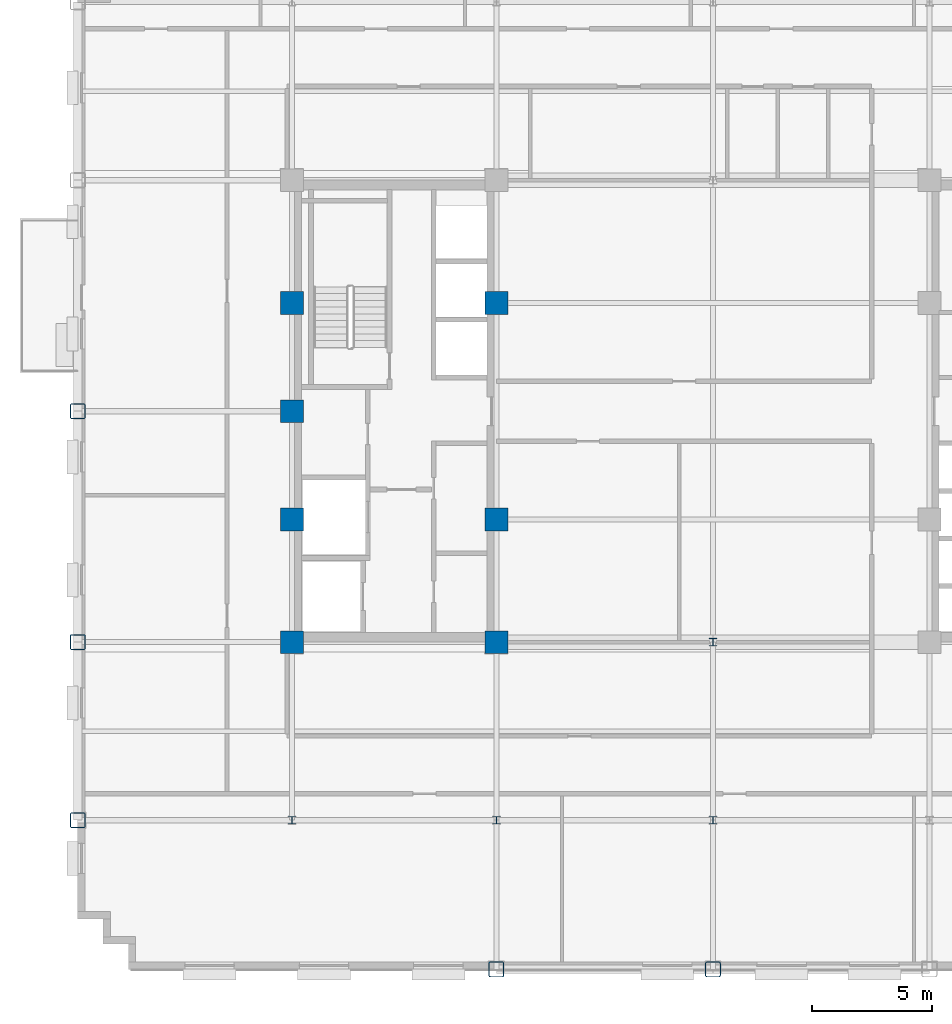
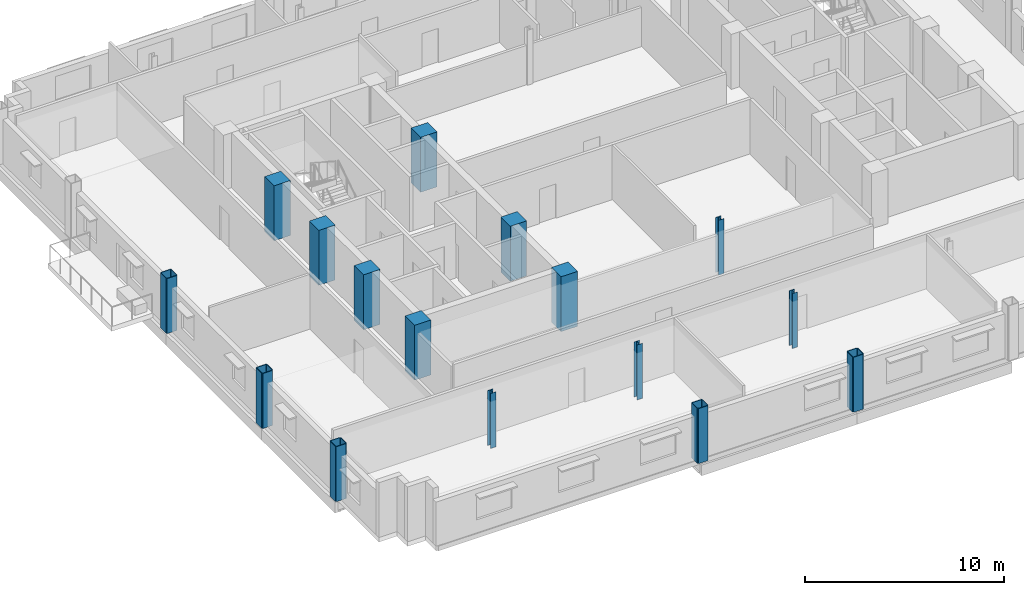
# One storey, part 1 of 14: 16 columns.
"""IFC4 building model written with IfcOpenShell, lengths in metres."""

import ifcopenshell
import ifcopenshell.guid

model = None  # the IFC model being written
_history = None  # IfcOwnerHistory: only IFC2X3 demands one
_inside = {}  # id of a spatial element -> (the spatial element, [elements in it])
_under = {}  # id of a project, library or spatial element -> (it, [spatial elements below it])
_declared = {}  # id of a project -> (the project, [libraries it declares])
_typed = {}  # id of a type object -> (the type object, [elements of that type])
_made_of = {}  # id of a material, layer set ... -> (it, [elements and type objects made of it])


def new_model(schema):
    """Start an empty IFC model of exactly this schema.

    Asked for "IFC4X3", IfcOpenShell would pick the latest addendum, in which some entities
    have other attributes; the version numbers below select the first issue.
    IFC2X3 requires an IfcOwnerHistory on every rooted entity: one is made here for all.
    """
    global model, _history
    if schema == "IFC4X3":
        model = ifcopenshell.file(schema_version=(4, 3, 0, 0))
    else:
        model = ifcopenshell.file(schema=schema)
    _inside.clear()
    _under.clear()
    _declared.clear()
    _typed.clear()
    _made_of.clear()
    _history = None
    if model.schema == "IFC2X3":
        org = make("IfcOrganization", Name="unknown")
        user = make(
            "IfcPersonAndOrganization",
            ThePerson=make("IfcPerson", FamilyName="unknown"),
            TheOrganization=org,
        )
        app = make(
            "IfcApplication",
            ApplicationDeveloper=org,
            Version="unknown",
            ApplicationFullName="unknown",
            ApplicationIdentifier="unknown",
        )
        _history = make(
            "IfcOwnerHistory",
            OwningUser=user,
            OwningApplication=app,
            ChangeAction="ADDED",
            CreationDate=0,
        )
    return model


def make(cls, **values):
    """One entity of the class cls with the attributes given. An attribute that is None is left unset."""
    return model.create_entity(
        cls, **{name: value for name, value in values.items() if value is not None}
    )


def rooted(cls, **values):
    """An entity with a GlobalId (a new one), such as an element, a storey or a relation."""
    return make(cls, GlobalId=ifcopenshell.guid.new(), OwnerHistory=_history, **values)


def si_unit(unit_type, name, prefix=None):
    """IfcSIUnit, for example si_unit("LENGTHUNIT", "METRE", prefix="MILLI")."""
    return make("IfcSIUnit", UnitType=unit_type, Prefix=prefix, Name=name)


def assignment(units):
    """IfcUnitAssignment: the units of a project."""
    return None if units is None else make("IfcUnitAssignment", Units=units)


def point(xyz):
    """IfcCartesianPoint."""
    return None if xyz is None else make("IfcCartesianPoint", Coordinates=xyz)


def direction(xyz):
    """IfcDirection."""
    return None if xyz is None else make("IfcDirection", DirectionRatios=xyz)


def frame(location, z_axis=None, x_axis=None):
    """IfcAxis2Placement3D, a coordinate frame: its origin and axes. An axis left out is left unset."""
    return make(
        "IfcAxis2Placement3D",
        Location=point(location),
        Axis=direction(z_axis),
        RefDirection=direction(x_axis),
    )


def frame_2d(location, x_axis=None):
    """IfcAxis2Placement2D, a coordinate frame in the plane: its origin and x axis."""
    return make(
        "IfcAxis2Placement2D", Location=point(location), RefDirection=direction(x_axis)
    )


def origin():
    """The frame at (0, 0, 0) with its axes left unset."""
    return frame((0.0, 0.0, 0.0))


def origin_2d():
    """The frame at (0, 0) in the plane with its x axis left unset."""
    return frame_2d((0.0, 0.0))


def place(relative_to, where):
    """IfcLocalPlacement: puts the frame where relative to a parent placement (None: the world)."""
    return make(
        "IfcLocalPlacement", PlacementRelTo=relative_to, RelativePlacement=where
    )


def context(
    kind, dimensions, precision=None, world=None, true_north=None, identifier=None
):
    """IfcGeometricRepresentationContext, for example the 3D "Model" context."""
    return make(
        "IfcGeometricRepresentationContext",
        ContextIdentifier=identifier,
        ContextType=kind,
        CoordinateSpaceDimension=dimensions,
        Precision=precision,
        WorldCoordinateSystem=world,
        TrueNorth=true_north,
    )


def subcontext(parent, identifier, kind, view, scale=None):
    """IfcGeometricRepresentationSubContext, for example "Body" below "Model"."""
    return make(
        "IfcGeometricRepresentationSubContext",
        ContextIdentifier=identifier,
        ContextType=kind,
        ParentContext=parent,
        TargetScale=scale,
        TargetView=view,
    )


def project(units=None, contexts=None):
    """IfcProject with its units and contexts."""
    return rooted(
        "IfcProject",
        Name="project",
        RepresentationContexts=contexts,
        UnitsInContext=assignment(units),
    )


def spatial(cls, under=None, at=None, **own):
    """A site, building, storey or space (cls), placed at a placement, below another one or the project."""
    s = rooted(cls, ObjectPlacement=at, **own)
    if under is not None:
        _under.setdefault(under.id(), (under, []))[1].append(s)
    return s


def profile(cls, at=None, kind="AREA", **sizes):
    """A parametric profile (cls). Its sizes go by their IFC names, for example OverallWidth=200.0."""
    return make(cls, ProfileType=kind, Position=at, **sizes)


def rectangle(**sizes):
    """IfcRectangleProfileDef."""
    return profile("IfcRectangleProfileDef", **sizes)


def hollow_rectangle(**sizes):
    """IfcRectangleHollowProfileDef."""
    return profile("IfcRectangleHollowProfileDef", **sizes)


def i_section(**sizes):
    """IfcIShapeProfileDef."""
    return profile("IfcIShapeProfileDef", **sizes)


def extrude(swept, where, along, depth):
    """IfcExtrudedAreaSolid: the profile swept, set in the frame where, extruded along a direction by depth."""
    return make(
        "IfcExtrudedAreaSolid",
        SweptArea=swept,
        Position=where,
        ExtrudedDirection=direction(along),
        Depth=depth,
    )


def shape(context_of_items, identifier, shape_type, items):
    """IfcShapeRepresentation: the items that make up one representation, for example the "Body"."""
    return make(
        "IfcShapeRepresentation",
        ContextOfItems=context_of_items,
        RepresentationIdentifier=identifier,
        RepresentationType=shape_type,
        Items=items,
    )


def material(Name=None, Category=None):
    """IfcMaterial."""
    return make("IfcMaterial", Name=Name, Category=Category)


def material_profile(
    of_material, cross_section, Name=None, Category=None, Priority=None
):
    """IfcMaterialProfile: a cross section and its material."""
    return make(
        "IfcMaterialProfile",
        Name=Name,
        Material=of_material,
        Profile=cross_section,
        Priority=Priority,
        Category=Category,
    )


def profile_set(profiles, Name=None, composite=None):
    """IfcMaterialProfileSet."""
    return make(
        "IfcMaterialProfileSet",
        Name=Name,
        MaterialProfiles=profiles,
        CompositeProfile=composite,
    )


def made_of(thing, what):
    """Note that an element or type object is made of a material, layer set ...; save() writes the relation."""
    if what is not None:
        _made_of.setdefault(what.id(), (what, []))[1].append(thing)
    return thing


def type_object(cls, material=None, **own):
    """A type object (cls), such as IfcWallType, which elements share."""
    return made_of(rooted(cls, **own), material)


def element(
    cls,
    number,
    at=None,
    inside=None,
    cuts=None,
    type_object=None,
    material=None,
    context=None,
    identifier="Body",
    shape_type=None,
    held_by="IfcProductDefinitionShape",
    body=None,
    shapes=None,
    **own,
):
    """One element of the class cls, such as IfcWall. Its Tag is "e" and its number.

    at: its placement. inside: the storey or other place that contains it. cuts: it is an
    opening in that element (IfcRelVoidsElement). A single representation is given by context,
    identifier, shape_type and body (its items); several are given by shapes. held_by: the class
    of the entity that holds the representations. save() writes the other relations.
    """
    e = rooted(cls, Tag="e%d" % number, ObjectPlacement=at, **own)
    if body is not None:
        shapes = [shape(context, identifier, shape_type, body)]
    if shapes is not None:
        e.Representation = make(held_by, Representations=shapes)
    if inside is not None:
        _inside.setdefault(inside.id(), (inside, []))[1].append(e)
    if cuts is not None:
        rooted(
            "IfcRelVoidsElement", RelatingBuildingElement=cuts, RelatedOpeningElement=e
        )
    if type_object is not None:
        _typed.setdefault(type_object.id(), (type_object, []))[1].append(e)
    return made_of(e, material)


def aggregate(whole, parts):
    """IfcRelAggregates: a whole, such as a stair, and the parts it consists of."""
    return rooted("IfcRelAggregates", RelatingObject=whole, RelatedObjects=parts)


def save(model, path):
    """Write the relations noted so far, then the file.

    IfcRelAggregates (storeys below a building ...), IfcRelContainedInSpatialStructure (elements
    in a storey), IfcRelDefinesByType, IfcRelAssociatesMaterial and IfcRelDeclares: one each for
    every whole, place, type object, material and project.
    """
    for whole, parts in _under.values():
        aggregate(whole, parts)
    for where, things in _inside.values():
        rooted(
            "IfcRelContainedInSpatialStructure",
            RelatedElements=things,
            RelatingStructure=where,
        )
    for kind, things in _typed.values():
        rooted("IfcRelDefinesByType", RelatedObjects=things, RelatingType=kind)
    for what, things in _made_of.values():
        rooted("IfcRelAssociatesMaterial", RelatedObjects=things, RelatingMaterial=what)
    for by, libraries in _declared.values():
        rooted("IfcRelDeclares", RelatingContext=by, RelatedDefinitions=libraries)
    model.write(path)


model = new_model("IFC4")

# Units and contexts
model_context = context("Model", 3, precision=1e-05, world=origin(), true_north=direction((0.0, 1.0)))
body_context = subcontext(model_context, "Body", "Model", "MODEL_VIEW")
ifc_project = project(units=[si_unit("LENGTHUNIT", "METRE"), si_unit("AREAUNIT", "SQUARE_METRE"), si_unit("VOLUMEUNIT", "CUBIC_METRE"), si_unit("PLANEANGLEUNIT", "RADIAN"), si_unit("MASSUNIT", "GRAM", prefix="KILO")], contexts=[model_context])

# Site, building, storey
site_placement = place(None, origin())
site = spatial("IfcSite", under=ifc_project, at=site_placement, CompositionType="ELEMENT")
building_placement = place(site_placement, origin())
building = spatial("IfcBuilding", under=site, at=building_placement, Name="Nuvemarco Arch Tower", CompositionType="ELEMENT")
storey_placement = place(building_placement, frame((0.0, 0.0, 174.949951171875)))
storey = spatial("IfcBuildingStorey", under=building, at=storey_placement, Name="L46", CompositionType="ELEMENT", Elevation=174.949951171875)

# Columns
ifc_material_1 = material(Name="Concrete C50/60", Category="concrete")
ifc_material_profile_1 = material_profile(ifc_material_1, rectangle(XDim=0.949951171875, YDim=0.949951171875, at=origin_2d()), Name="RC-COL-950x950")
ifc_profile_set_1 = profile_set([ifc_material_profile_1], Name="Concrete C50/60")
column_type_1 = type_object("IfcColumnType", Name="COL-CORE-950", PredefinedType="COLUMN", material=ifc_profile_set_1)
for number, where, z_axis, x_axis, name in (
    (1, (-17.5, -9.60009765625, 0.0), (0.0, 0.0, 1.0), (1.0, 0.0, 0.0), "L46 column CC_-17.5_-9.6"),
    (2, (-17.5, -4.5, 0.0), (0.0, 0.0, 1.0), (1.0, 0.0, 0.0), "L46 column CC_-17.5_-4.5"),
    (3, (-17.5, 4.5, 0.0), (0.0, 0.0, 1.0), (1.0, 0.0, 0.0), "L46 column CC_-17.5_+4.5"),
    (4, (-9.0, -9.60009765625, 0.0), (0.0, 0.0, 1.0), (1.0, 0.0, 0.0), "L46 column CC_-9.0_-9.6"),
    (5, (-9.0, -4.5, 0.0), (0.0, 0.0, 1.0), (1.0, 0.0, 0.0), "L46 column CC_-9.0_-4.5"),
    (6, (-9.0, 4.5, 0.0), (0.0, 0.0, 1.0), (1.0, 0.0, 0.0), "L46 column CC_-9.0_+4.5"),
    (7, (-17.5, 0.0, 0.0), (0.0, 0.0, 1.0), (1.0, 0.0, 0.0), "L46 column CC_-17.5_+0.0"),
):
    element("IfcColumn", number, at=place(storey_placement, frame(where, z_axis=z_axis, x_axis=x_axis)), inside=storey, type_object=column_type_1, Name=name, PredefinedType="COLUMN", context=body_context, shape_type="SweptSolid", body=[
        extrude(rectangle(XDim=0.949951171875, YDim=0.949951171875, at=origin_2d()), origin(), (0.0, 0.0, 1.0), 3.3701171875),
    ])
ifc_material_2 = material(Name="Steel S355", Category="steel")
ifc_material_profile_2 = material_profile(ifc_material_2, hollow_rectangle(XDim=0.64990234375, YDim=0.64990234375, WallThickness=0.0400390625, InnerFilletRadius=0.0400390625, OuterFilletRadius=0.080078125, at=origin_2d()), Name="SHS650x650x40")
ifc_profile_set_2 = profile_set([ifc_material_profile_2], Name="Steel S355")
column_type_2 = type_object("IfcColumnType", Name="COL-EXO-650", PredefinedType="COLUMN", material=ifc_profile_set_2)
for number, where, z_axis, x_axis, name in (
    (8, (-26.39990234375, -17.0, 0.0), (0.0, 0.0, 1.0), (1.0, 0.0, 0.0), "L46 column CX_-26.4_-17.0"),
    (9, (-26.39990234375, -9.60009765625, 0.0), (0.0, 0.0, 1.0), (1.0, 0.0, 0.0), "L46 column CX_-26.4_-9.6"),
    (10, (-26.39990234375, 0.0, 0.0), (0.0, 0.0, 1.0), (1.0, 0.0, 0.0), "L46 column CX_-26.4_+0.0"),
    (11, (-9.0, -23.199951171875, 0.0), (0.0, 0.0, 1.0), (1.0, 0.0, 0.0), "L46 column CY_-9.0_-23.2"),
    (12, (0.0, -23.199951171875, 0.0), (0.0, 0.0, 1.0), (1.0, 0.0, 0.0), "L46 column CY_+0.0_-23.2"),
):
    element("IfcColumn", number, at=place(storey_placement, frame(where, z_axis=z_axis, x_axis=x_axis)), inside=storey, type_object=column_type_2, Name=name, PredefinedType="COLUMN", context=body_context, shape_type="SweptSolid", body=[
        extrude(hollow_rectangle(XDim=0.64990234375, YDim=0.64990234375, WallThickness=0.0400390625, InnerFilletRadius=0.0400390625, OuterFilletRadius=0.080078125, at=origin_2d()), origin(), (0.0, 0.0, 1.0), 3.3701171875),
    ])
ifc_material_profile_3 = material_profile(ifc_material_2, i_section(OverallWidth=0.31005859375, OverallDepth=0.31005859375, WebThickness=0.015380859375, FlangeThickness=0.015380859375, FilletRadius=0.014892578125, at=origin_2d()), Name="HP310x110")
ifc_profile_set_3 = profile_set([ifc_material_profile_3], Name="Steel S355")
column_type_3 = type_object("IfcColumnType", Name="COL-STL-HP310", PredefinedType="COLUMN", material=ifc_profile_set_3)
for number, where, z_axis, x_axis, name in (
    (13, (0.0, -17.0, 0.0), (0.0, 0.0, 1.0), (1.0, 0.0, 0.0), "L46 column CI_+0.0_-17.0"),
    (14, (0.0, -9.60009765625, 0.0), (0.0, 0.0, 1.0), (1.0, 0.0, 0.0), "L46 column CI_+0.0_-9.6"),
    (15, (-17.5, -17.0, 0.0), (0.0, 0.0, 1.0), (1.0, 0.0, 0.0), "L46 column CI_-17.5_-17.0"),
    (16, (-9.0, -17.0, 0.0), (0.0, 0.0, 1.0), (1.0, 0.0, 0.0), "L46 column CI_-9.0_-17.0"),
):
    element("IfcColumn", number, at=place(storey_placement, frame(where, z_axis=z_axis, x_axis=x_axis)), inside=storey, type_object=column_type_3, Name=name, PredefinedType="COLUMN", context=body_context, shape_type="SweptSolid", body=[
        extrude(i_section(OverallWidth=0.31005859375, OverallDepth=0.31005859375, WebThickness=0.015380859375, FlangeThickness=0.015380859375, FilletRadius=0.014892578125, at=origin_2d()), origin(), (0.0, 0.0, 1.0), 3.3701171875),
    ])

save(model, "model.ifc")
